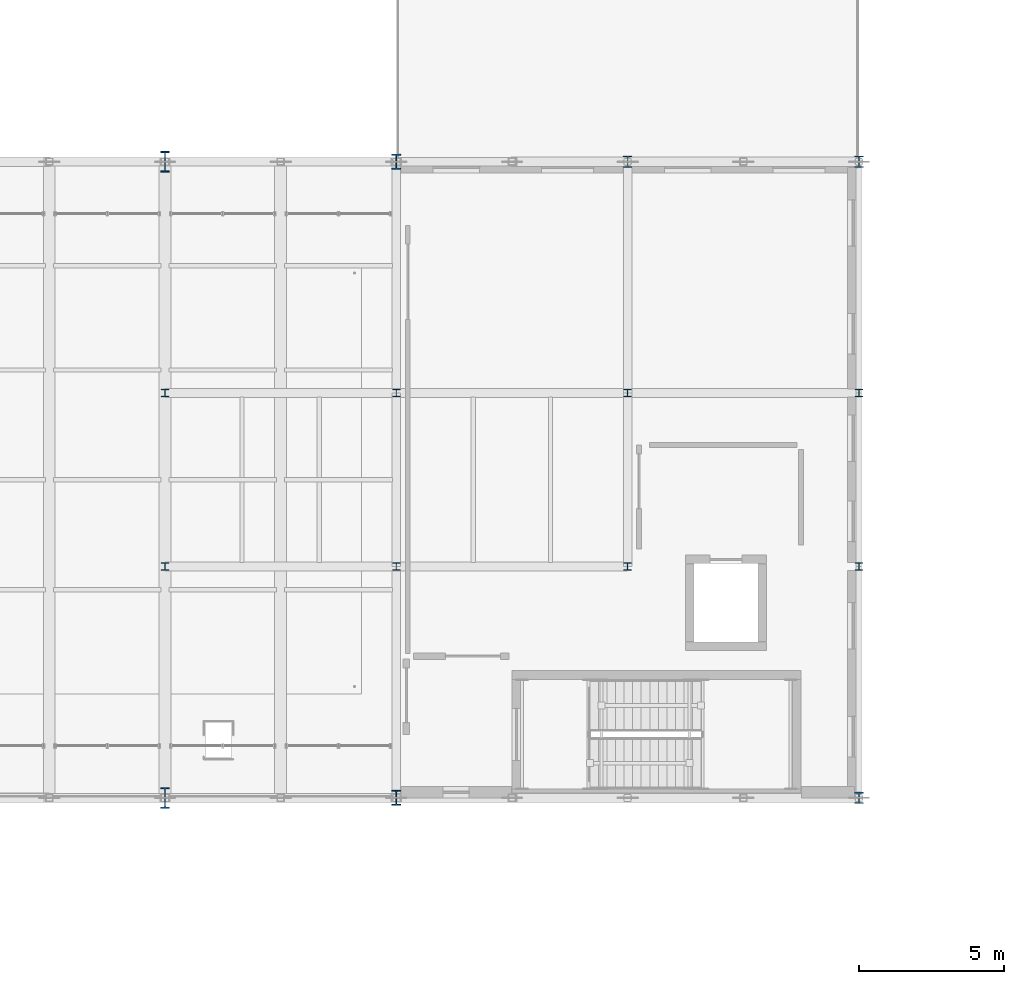
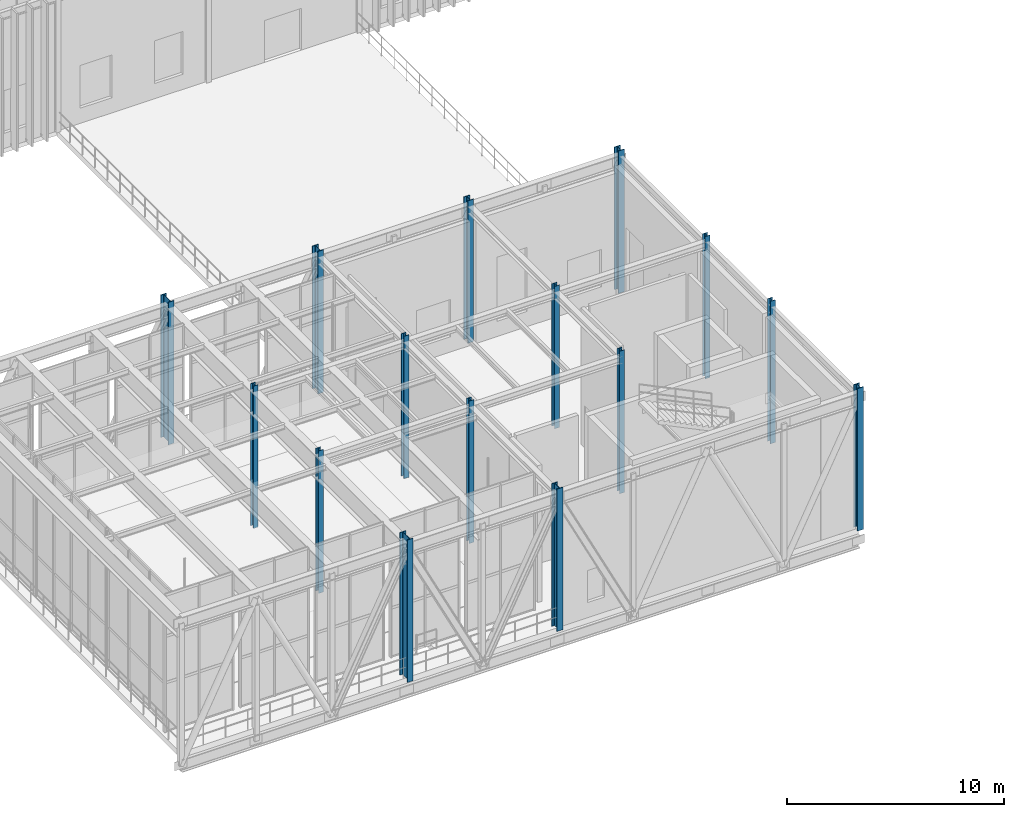
# One storey, part 1 of 138: 15 columns.
"""IFC4 building model written with IfcOpenShell, lengths in metres."""

from ifc_helpers import new_model, si_unit, direction, frame, origin, origin_2d, place, context, subcontext, project, spatial, i_section, extrude, material, material_profile, profile_set, type_object, element, save


model = new_model("IFC4")

# Units and contexts
model_context = context("Model", 3, precision=1e-05, world=origin(), true_north=direction((0.0, 1.0)))
body_context = subcontext(model_context, "Body", "Model", "MODEL_VIEW")
ifc_project = project(units=[si_unit("LENGTHUNIT", "METRE"), si_unit("AREAUNIT", "SQUARE_METRE"), si_unit("VOLUMEUNIT", "CUBIC_METRE"), si_unit("PLANEANGLEUNIT", "RADIAN"), si_unit("MASSUNIT", "GRAM", prefix="KILO")], contexts=[model_context])

# Site, building, storey
site_placement = place(None, origin())
site = spatial("IfcSite", under=ifc_project, at=site_placement, CompositionType="ELEMENT")
building_placement = place(site_placement, origin())
building = spatial("IfcBuilding", under=site, at=building_placement, Name="Sundkrona Museum", CompositionType="ELEMENT")
storey_placement = place(building_placement, frame((0.0, 0.0, 9.60009765625)))
storey = spatial("IfcBuildingStorey", under=building, at=storey_placement, Name="L02", CompositionType="ELEMENT", Elevation=9.60009765625)

# Columns
ifc_material_1 = material(Name="Steel S355J2", Category="steel")
ifc_material_profile_1 = material_profile(ifc_material_1, i_section(OverallWidth=0.260009765625, OverallDepth=0.260009765625, WebThickness=0.010009765625, FlangeThickness=0.017578125, FilletRadius=0.02392578125, at=origin_2d()), Name="HEB 260")
ifc_profile_set_1 = profile_set([ifc_material_profile_1], Name="Steel S355J2")
column_type_1 = type_object("IfcColumnType", Name="C-HEB260", PredefinedType="COLUMN", material=ifc_profile_set_1)
for number, where, z_axis, x_axis, name in (
    (1, (16.0, 40.0, 0.0), (0.0, 0.0, 1.0), (1.0, 0.0, 0.0), "L02 Column F/3"),
    (2, (16.0, 46.0, 0.0), (0.0, 0.0, 1.0), (1.0, 0.0, 0.0), "L02 Column G/3"),
    (3, (24.0, 40.0, 0.0), (0.0, 0.0, 1.0), (1.0, 0.0, 0.0), "L02 Column F/4"),
    (4, (24.0, 46.0, 0.0), (0.0, 0.0, 1.0), (1.0, 0.0, 0.0), "L02 Column G/4"),
    (5, (32.0, 40.0, 0.0), (0.0, 0.0, 1.0), (1.0, 0.0, 0.0), "L02 Column F/5"),
    (6, (32.0, 46.0, 0.0), (0.0, 0.0, 1.0), (1.0, 0.0, 0.0), "L02 Column G/5"),
    (7, (40.0, 40.0, 0.0), (0.0, 0.0, 1.0), (1.0, 0.0, 0.0), "L02 Column F/6"),
    (8, (40.0, 46.0, 0.0), (0.0, 0.0, 1.0), (1.0, 0.0, 0.0), "L02 Column G/6"),
):
    element("IfcColumn", number, at=place(storey_placement, frame(where, z_axis=z_axis, x_axis=x_axis)), inside=storey, type_object=column_type_1, Name=name, PredefinedType="COLUMN", context=body_context, shape_type="SweptSolid", body=[
        extrude(i_section(OverallWidth=0.260009765625, OverallDepth=0.260009765625, WebThickness=0.010009765625, FlangeThickness=0.017578125, FilletRadius=0.02392578125, at=origin_2d()), origin(), (0.0, 0.0, 1.0), 8.0),
    ])
ifc_material_2 = material(Name="Steel S460M", Category="steel")
ifc_material_profile_2 = material_profile(ifc_material_2, i_section(OverallWidth=0.30810546875, OverallDepth=0.39501953125, WebThickness=0.02099609375, FlangeThickness=0.0400390625, FilletRadius=0.027099609375, at=origin_2d()), Name="HEM 360")
ifc_profile_set_2 = profile_set([ifc_material_profile_2], Name="Steel S460M")
column_type_2 = type_object("IfcColumnType", Name="C-HEM360", PredefinedType="COLUMN", material=ifc_profile_set_2)
for number, where, z_axis, x_axis, name in (
    (9, (32.0, 54.0, 0.0), (0.0, 0.0, 1.0), (1.0, 0.0, 0.0), "L02 Column H/5"),
    (10, (40.0, 32.0, 0.0), (0.0, 0.0, 1.0), (1.0, 0.0, 0.0), "L02 Column E/6"),
    (11, (40.0, 54.0, 0.0), (0.0, 0.0, 1.0), (1.0, 0.0, 0.0), "L02 Column H/6"),
):
    element("IfcColumn", number, at=place(storey_placement, frame(where, z_axis=z_axis, x_axis=x_axis)), inside=storey, type_object=column_type_2, Name=name, PredefinedType="COLUMN", context=body_context, shape_type="SweptSolid", body=[
        extrude(i_section(OverallWidth=0.30810546875, OverallDepth=0.39501953125, WebThickness=0.02099609375, FlangeThickness=0.0400390625, FilletRadius=0.027099609375, at=origin_2d()), origin(), (0.0, 0.0, 1.0), 8.0),
    ])
ifc_material_profile_3 = material_profile(ifc_material_2, i_section(OverallWidth=0.305908203125, OverallDepth=0.52392578125, WebThickness=0.02099609375, FlangeThickness=0.0400390625, FilletRadius=0.027099609375, at=origin_2d()), Name="HEM 500")
ifc_profile_set_3 = profile_set([ifc_material_profile_3], Name="Steel S460M")
column_type_3 = type_object("IfcColumnType", Name="C-HEM500", PredefinedType="COLUMN", material=ifc_profile_set_3)
for number, where, z_axis, x_axis, name in (
    (12, (24.0, 32.0, 0.0), (0.0, 0.0, 1.0), (1.0, 0.0, 0.0), "L02 Column E/4"),
    (13, (24.0, 54.0, 0.0), (0.0, 0.0, 1.0), (1.0, 0.0, 0.0), "L02 Column H/4"),
):
    element("IfcColumn", number, at=place(storey_placement, frame(where, z_axis=z_axis, x_axis=x_axis)), inside=storey, type_object=column_type_3, Name=name, PredefinedType="COLUMN", context=body_context, shape_type="SweptSolid", body=[
        extrude(i_section(OverallWidth=0.305908203125, OverallDepth=0.52392578125, WebThickness=0.02099609375, FlangeThickness=0.0400390625, FilletRadius=0.027099609375, at=origin_2d()), origin(), (0.0, 0.0, 1.0), 8.0),
    ])
ifc_material_profile_4 = material_profile(ifc_material_2, i_section(OverallWidth=0.303955078125, OverallDepth=0.716064453125, WebThickness=0.02099609375, FlangeThickness=0.0400390625, FilletRadius=0.027099609375, at=origin_2d()), Name="HEM 700")
ifc_profile_set_4 = profile_set([ifc_material_profile_4], Name="Steel S460M")
column_type_4 = type_object("IfcColumnType", Name="C-HEM700", PredefinedType="COLUMN", material=ifc_profile_set_4)
for number, where, z_axis, x_axis, name in (
    (14, (16.0, 32.0, 0.0), (0.0, 0.0, 1.0), (1.0, 0.0, 0.0), "L02 Column E/3"),
    (15, (16.0, 54.0, 0.0), (0.0, 0.0, 1.0), (1.0, 0.0, 0.0), "L02 Column H/3"),
):
    element("IfcColumn", number, at=place(storey_placement, frame(where, z_axis=z_axis, x_axis=x_axis)), inside=storey, type_object=column_type_4, Name=name, PredefinedType="COLUMN", context=body_context, shape_type="SweptSolid", body=[
        extrude(i_section(OverallWidth=0.303955078125, OverallDepth=0.716064453125, WebThickness=0.02099609375, FlangeThickness=0.0400390625, FilletRadius=0.027099609375, at=origin_2d()), origin(), (0.0, 0.0, 1.0), 8.0),
    ])

save(model, "model.ifc")
